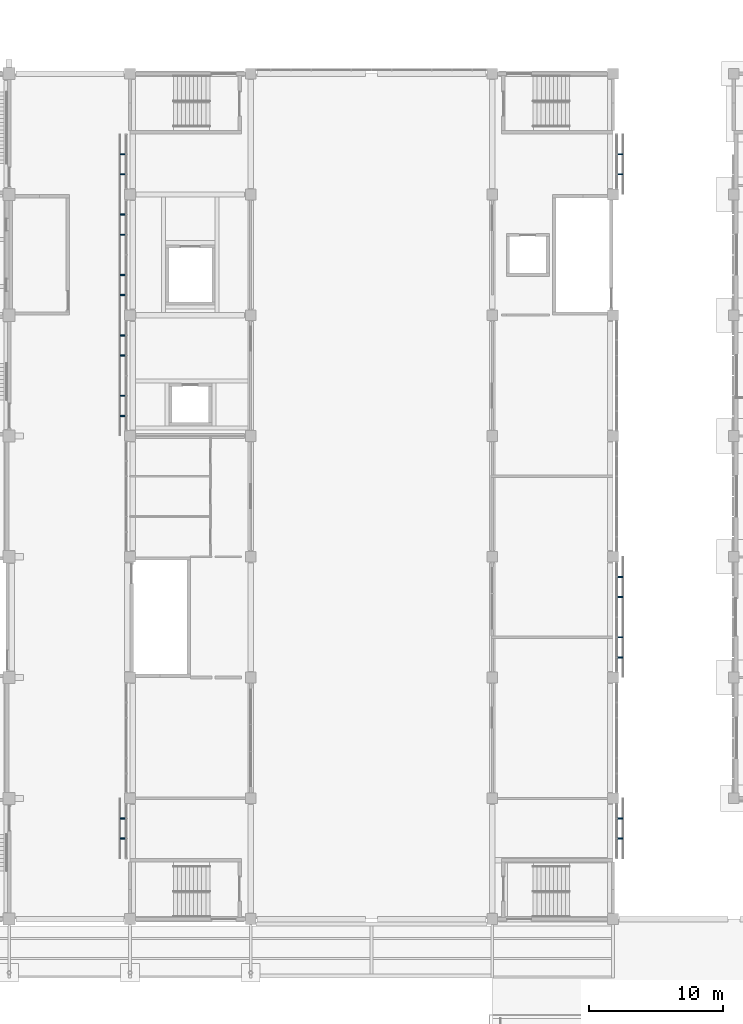
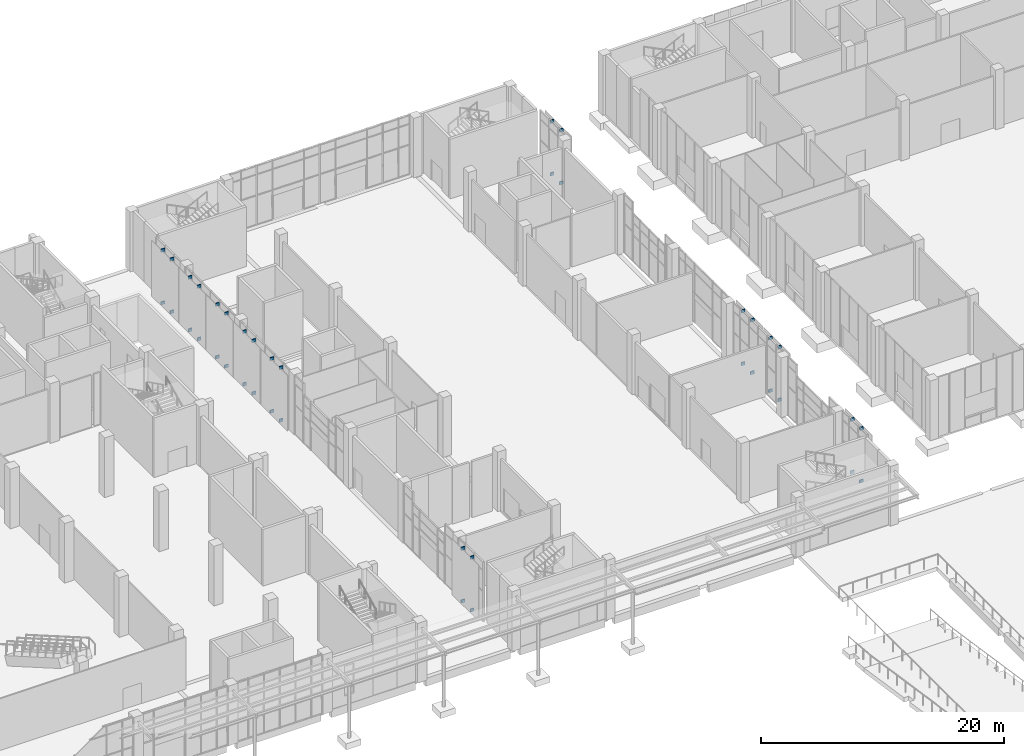
# One storey, part 66 of 86: 40 discrete accessories.
"""IFC4 building model written with IfcOpenShell, lengths in metres."""

from ifc_helpers import new_model, si_unit, direction, frame, origin, origin_2d, place, context, subcontext, project, spatial, rectangle, extrude, material, type_object, element, save


model = new_model("IFC4")

# Units and contexts
model_context = context("Model", 3, precision=1e-05, world=origin(), true_north=direction((0.0, 1.0)))
body_context = subcontext(model_context, "Body", "Model", "MODEL_VIEW")
ifc_project = project(units=[si_unit("LENGTHUNIT", "METRE"), si_unit("AREAUNIT", "SQUARE_METRE"), si_unit("VOLUMEUNIT", "CUBIC_METRE"), si_unit("PLANEANGLEUNIT", "RADIAN"), si_unit("MASSUNIT", "GRAM", prefix="KILO")], contexts=[model_context])

# Site, building, storey
site_placement = place(None, origin())
site = spatial("IfcSite", under=ifc_project, at=site_placement, CompositionType="ELEMENT")
building_placement = place(site_placement, origin())
building = spatial("IfcBuilding", under=site, at=building_placement, Name="Guidao Yard Department Store", CompositionType="ELEMENT")
storey_placement = place(building_placement, origin())
storey = spatial("IfcBuildingStorey", under=building, at=storey_placement, Name="L00", CompositionType="ELEMENT", Elevation=0.0)

# Discrete accessories
ifc_material = material(Name="Steel Q355B", Category="steel")
discrete_accessory_type = type_object("IfcDiscreteAccessoryType", Name="Bracket BR2 steel plate", PredefinedType="BRACKET", material=ifc_material)
for number, where, z_axis, x_axis, name in (
    (1, (71.465087890625, 51.0, 0.2001953125), (0.0, 0.0, 1.0), (0.0, 1.0, 0.0), "Screen bracket"),
    (2, (71.465087890625, 51.0, 5.5), (0.0, 0.0, 1.0), (0.0, 1.0, 0.0), "Screen bracket"),
    (3, (71.465087890625, 52.5, 0.2001953125), (0.0, 0.0, 1.0), (0.0, 1.0, 0.0), "Screen bracket"),
    (4, (71.465087890625, 52.5, 5.5), (0.0, 0.0, 1.0), (0.0, 1.0, 0.0), "Screen bracket"),
    (5, (71.465087890625, 82.5, 0.2001953125), (0.0, 0.0, 1.0), (0.0, 1.0, 0.0), "Screen bracket"),
    (6, (71.465087890625, 82.5, 5.5), (0.0, 0.0, 1.0), (0.0, 1.0, 0.0), "Screen bracket"),
    (7, (71.465087890625, 84.0, 0.2001953125), (0.0, 0.0, 1.0), (0.0, 1.0, 0.0), "Screen bracket"),
    (8, (71.465087890625, 84.0, 5.5), (0.0, 0.0, 1.0), (0.0, 1.0, 0.0), "Screen bracket"),
    (9, (71.465087890625, 87.0, 0.2001953125), (0.0, 0.0, 1.0), (0.0, 1.0, 0.0), "Screen bracket"),
    (10, (71.465087890625, 87.0, 5.5), (0.0, 0.0, 1.0), (0.0, 1.0, 0.0), "Screen bracket"),
    (11, (71.465087890625, 88.5, 0.2001953125), (0.0, 0.0, 1.0), (0.0, 1.0, 0.0), "Screen bracket"),
    (12, (71.465087890625, 88.5, 5.5), (0.0, 0.0, 1.0), (0.0, 1.0, 0.0), "Screen bracket"),
    (13, (71.465087890625, 91.5, 0.2001953125), (0.0, 0.0, 1.0), (0.0, 1.0, 0.0), "Screen bracket"),
    (14, (71.465087890625, 91.5, 5.5), (0.0, 0.0, 1.0), (0.0, 1.0, 0.0), "Screen bracket"),
    (15, (71.465087890625, 93.0, 0.2001953125), (0.0, 0.0, 1.0), (0.0, 1.0, 0.0), "Screen bracket"),
    (16, (71.465087890625, 93.0, 5.5), (0.0, 0.0, 1.0), (0.0, 1.0, 0.0), "Screen bracket"),
    (17, (71.465087890625, 96.0, 0.2001953125), (0.0, 0.0, 1.0), (0.0, 1.0, 0.0), "Screen bracket"),
    (18, (71.465087890625, 96.0, 5.5), (0.0, 0.0, 1.0), (0.0, 1.0, 0.0), "Screen bracket"),
    (19, (71.465087890625, 97.5, 0.2001953125), (0.0, 0.0, 1.0), (0.0, 1.0, 0.0), "Screen bracket"),
    (20, (71.465087890625, 97.5, 5.5), (0.0, 0.0, 1.0), (0.0, 1.0, 0.0), "Screen bracket"),
    (21, (71.465087890625, 100.5, 0.2001953125), (0.0, 0.0, 1.0), (0.0, 1.0, 0.0), "Screen bracket"),
    (22, (71.465087890625, 100.5, 5.5), (0.0, 0.0, 1.0), (0.0, 1.0, 0.0), "Screen bracket"),
    (23, (71.465087890625, 102.0, 0.2001953125), (0.0, 0.0, 1.0), (0.0, 1.0, 0.0), "Screen bracket"),
    (24, (71.465087890625, 102.0, 5.5), (0.0, 0.0, 1.0), (0.0, 1.0, 0.0), "Screen bracket"),
    (25, (108.534912109375, 51.0, 0.2001953125), (0.0, 0.0, 1.0), (0.0, -1.0, 0.0), "Screen bracket"),
    (26, (108.534912109375, 51.0, 5.5), (0.0, 0.0, 1.0), (0.0, -1.0, 0.0), "Screen bracket"),
    (27, (108.534912109375, 52.5, 0.2001953125), (0.0, 0.0, 1.0), (0.0, -1.0, 0.0), "Screen bracket"),
    (28, (108.534912109375, 52.5, 5.5), (0.0, 0.0, 1.0), (0.0, -1.0, 0.0), "Screen bracket"),
    (29, (108.534912109375, 64.5, 0.2001953125), (0.0, 0.0, 1.0), (0.0, -1.0, 0.0), "Screen bracket"),
    (30, (108.534912109375, 64.5, 5.5), (0.0, 0.0, 1.0), (0.0, -1.0, 0.0), "Screen bracket"),
    (31, (108.534912109375, 66.0, 0.2001953125), (0.0, 0.0, 1.0), (0.0, -1.0, 0.0), "Screen bracket"),
    (32, (108.534912109375, 66.0, 5.5), (0.0, 0.0, 1.0), (0.0, -1.0, 0.0), "Screen bracket"),
    (33, (108.534912109375, 69.0, 0.2001953125), (0.0, 0.0, 1.0), (0.0, -1.0, 0.0), "Screen bracket"),
    (34, (108.534912109375, 69.0, 5.5), (0.0, 0.0, 1.0), (0.0, -1.0, 0.0), "Screen bracket"),
    (35, (108.534912109375, 70.5, 0.2001953125), (0.0, 0.0, 1.0), (0.0, -1.0, 0.0), "Screen bracket"),
    (36, (108.534912109375, 70.5, 5.5), (0.0, 0.0, 1.0), (0.0, -1.0, 0.0), "Screen bracket"),
    (37, (108.534912109375, 100.5, 0.2001953125), (0.0, 0.0, 1.0), (0.0, -1.0, 0.0), "Screen bracket"),
    (38, (108.534912109375, 100.5, 5.5), (0.0, 0.0, 1.0), (0.0, -1.0, 0.0), "Screen bracket"),
    (39, (108.534912109375, 102.0, 0.2001953125), (0.0, 0.0, 1.0), (0.0, -1.0, 0.0), "Screen bracket"),
    (40, (108.534912109375, 102.0, 5.5), (0.0, 0.0, 1.0), (0.0, -1.0, 0.0), "Screen bracket"),
):
    element("IfcDiscreteAccessory", number, at=place(storey_placement, frame(where, z_axis=z_axis, x_axis=x_axis)), inside=storey, type_object=discrete_accessory_type, Name=name, PredefinedType="BRACKET", context=body_context, shape_type="SweptSolid", body=[
        extrude(rectangle(XDim=0.10009765625, YDim=0.35009765625, at=origin_2d()), origin(), (0.0, 0.0, 1.0), 0.300048828125),
    ])

save(model, "model.ifc")
